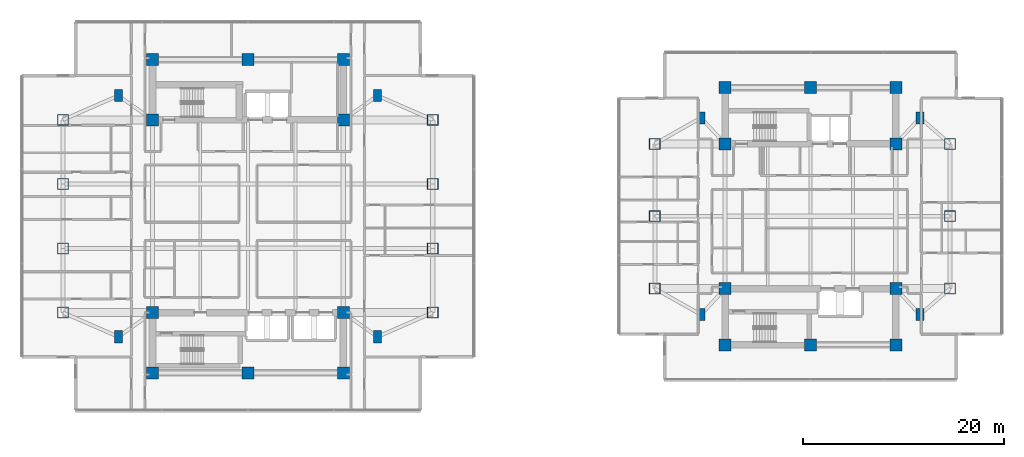
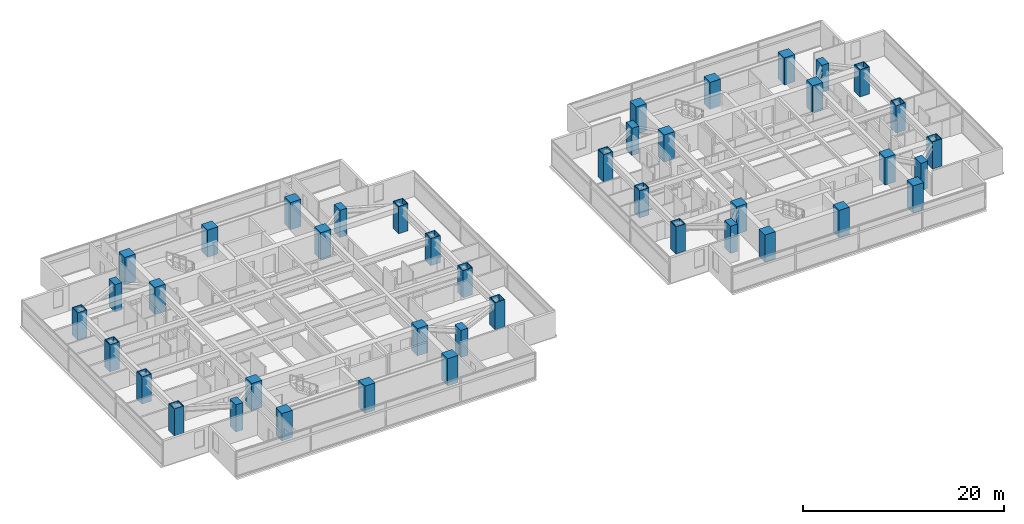
# One storey, part 1 of 26: 42 columns.
"""IFC4 building model written with IfcOpenShell, lengths in metres."""

from ifc_helpers import new_model, si_unit, direction, frame, origin, origin_2d, place, context, subcontext, project, spatial, rectangle, hollow_rectangle, extrude, material, material_profile, profile_set, type_object, element, save


model = new_model("IFC4")

# Units and contexts
model_context = context("Model", 3, precision=1e-05, world=origin(), true_north=direction((0.0, 1.0)))
body_context = subcontext(model_context, "Body", "Model", "MODEL_VIEW")
ifc_project = project(units=[si_unit("LENGTHUNIT", "METRE"), si_unit("AREAUNIT", "SQUARE_METRE"), si_unit("VOLUMEUNIT", "CUBIC_METRE"), si_unit("PLANEANGLEUNIT", "RADIAN"), si_unit("MASSUNIT", "GRAM", prefix="KILO")], contexts=[model_context])

# Site, building, storey
site_placement = place(None, origin())
site = spatial("IfcSite", under=ifc_project, at=site_placement, CompositionType="ELEMENT")
building_placement = place(site_placement, origin())
building = spatial("IfcBuilding", under=site, at=building_placement, Name="Mirazonda Arch Towers", CompositionType="ELEMENT")
storey_placement = place(building_placement, frame((0.0, 0.0, 114.800048828125)))
storey = spatial("IfcBuildingStorey", under=building, at=storey_placement, Name="L32", CompositionType="ELEMENT", Elevation=114.800048828125)

# Columns
ifc_material_1 = material(Name="Concrete C50/60", Category="concrete")
ifc_material_profile_1 = material_profile(ifc_material_1, rectangle(XDim=1.199951171875, YDim=1.199951171875, at=origin_2d()), Name="RC1200x1200")
ifc_profile_set_1 = profile_set([ifc_material_profile_1], Name="Concrete C50/60")
column_type_1 = type_object("IfcColumnType", Name="COL-INT-RC1200x1200", PredefinedType="COLUMN", material=ifc_profile_set_1)
for number, where, z_axis, x_axis, name in (
    (1, (11.0, 12.39990234375, 0.0), (0.0, 0.0, 1.0), (1.0, 0.0, 0.0), "L32 T1 Core Column 01"),
    (2, (20.5, 12.39990234375, 0.0), (0.0, 0.0, 1.0), (1.0, 0.0, 0.0), "L32 T1 Core Column 02"),
    (3, (30.0, 12.39990234375, 0.0), (0.0, 0.0, 1.0), (1.0, 0.0, 0.0), "L32 T1 Core Column 03"),
    (4, (11.0, 18.39990234375, 0.0), (0.0, 0.0, 1.0), (1.0, 0.0, 0.0), "L32 T1 Core Column 04"),
    (5, (30.0, 18.39990234375, 0.0), (0.0, 0.0, 1.0), (1.0, 0.0, 0.0), "L32 T1 Core Column 05"),
    (6, (11.0, 37.60009765625, 0.0), (0.0, 0.0, 1.0), (1.0, 0.0, 0.0), "L32 T1 Core Column 06"),
    (7, (30.0, 37.60009765625, 0.0), (0.0, 0.0, 1.0), (1.0, 0.0, 0.0), "L32 T1 Core Column 07"),
    (8, (11.0, 43.60009765625, 0.0), (0.0, 0.0, 1.0), (1.0, 0.0, 0.0), "L32 T1 Core Column 08"),
    (9, (20.5, 43.60009765625, 0.0), (0.0, 0.0, 1.0), (1.0, 0.0, 0.0), "L32 T1 Core Column 09"),
    (10, (30.0, 43.60009765625, 0.0), (0.0, 0.0, 1.0), (1.0, 0.0, 0.0), "L32 T1 Core Column 10"),
    (11, (68.0, 15.199951171875, 0.0), (0.0, 0.0, 1.0), (1.0, 0.0, 0.0), "L32 T2 Core Column 01"),
    (12, (76.5, 15.199951171875, 0.0), (0.0, 0.0, 1.0), (1.0, 0.0, 0.0), "L32 T2 Core Column 02"),
    (13, (85.0, 15.199951171875, 0.0), (0.0, 0.0, 1.0), (1.0, 0.0, 0.0), "L32 T2 Core Column 03"),
    (14, (68.0, 20.800048828125, 0.0), (0.0, 0.0, 1.0), (1.0, 0.0, 0.0), "L32 T2 Core Column 04"),
    (15, (85.0, 20.800048828125, 0.0), (0.0, 0.0, 1.0), (1.0, 0.0, 0.0), "L32 T2 Core Column 05"),
    (16, (68.0, 35.199951171875, 0.0), (0.0, 0.0, 1.0), (1.0, 0.0, 0.0), "L32 T2 Core Column 06"),
    (17, (85.0, 35.199951171875, 0.0), (0.0, 0.0, 1.0), (1.0, 0.0, 0.0), "L32 T2 Core Column 07"),
    (18, (68.0, 40.800048828125, 0.0), (0.0, 0.0, 1.0), (1.0, 0.0, 0.0), "L32 T2 Core Column 08"),
    (19, (76.5, 40.800048828125, 0.0), (0.0, 0.0, 1.0), (1.0, 0.0, 0.0), "L32 T2 Core Column 09"),
    (20, (85.0, 40.800048828125, 0.0), (0.0, 0.0, 1.0), (1.0, 0.0, 0.0), "L32 T2 Core Column 10"),
):
    element("IfcColumn", number, at=place(storey_placement, frame(where, z_axis=z_axis, x_axis=x_axis)), inside=storey, type_object=column_type_1, Name=name, PredefinedType="COLUMN", context=body_context, shape_type="SweptSolid", body=[
        extrude(rectangle(XDim=1.199951171875, YDim=1.199951171875, at=origin_2d()), origin(), (0.0, 0.0, 1.0), 3.300048828125),
    ])
ifc_material_2 = material(Name="Steel ASTM A572 Grade 50", Category="steel")
ifc_material_profile_2 = material_profile(ifc_material_2, hollow_rectangle(XDim=1.10009765625, YDim=1.10009765625, WallThickness=0.06005859375, at=origin_2d()), Name="BOX1100x1100x60")
ifc_profile_set_2 = profile_set([ifc_material_profile_2], Name="Steel ASTM A572 Grade 50")
column_type_2 = type_object("IfcColumnType", Name="MCOL-EXT-BOX1100x1100x60", PredefinedType="COLUMN", material=ifc_profile_set_2)
for number, where, z_axis, x_axis, name in (
    (21, (2.10009765625, 18.39990234375, 0.0), (0.0, 0.0, 1.0), (1.0, 0.0, 0.0), "L32 T1 Composite Mega-Column 01"),
    (22, (2.10009765625, 24.800048828125, 0.0), (0.0, 0.0, 1.0), (1.0, 0.0, 0.0), "L32 T1 Composite Mega-Column 02"),
    (23, (2.10009765625, 31.199951171875, 0.0), (0.0, 0.0, 1.0), (1.0, 0.0, 0.0), "L32 T1 Composite Mega-Column 03"),
    (24, (2.10009765625, 37.60009765625, 0.0), (0.0, 0.0, 1.0), (1.0, 0.0, 0.0), "L32 T1 Composite Mega-Column 04"),
    (25, (38.89990234375, 18.39990234375, 0.0), (0.0, 0.0, 1.0), (1.0, 0.0, 0.0), "L32 T1 Composite Mega-Column 05"),
    (26, (38.89990234375, 24.800048828125, 0.0), (0.0, 0.0, 1.0), (1.0, 0.0, 0.0), "L32 T1 Composite Mega-Column 06"),
    (27, (38.89990234375, 31.199951171875, 0.0), (0.0, 0.0, 1.0), (1.0, 0.0, 0.0), "L32 T1 Composite Mega-Column 07"),
    (28, (38.89990234375, 37.60009765625, 0.0), (0.0, 0.0, 1.0), (1.0, 0.0, 0.0), "L32 T1 Composite Mega-Column 08"),
    (29, (61.0, 20.800048828125, 0.0), (0.0, 0.0, 1.0), (1.0, 0.0, 0.0), "L32 T2 Composite Mega-Column 01"),
    (30, (61.0, 28.0, 0.0), (0.0, 0.0, 1.0), (1.0, 0.0, 0.0), "L32 T2 Composite Mega-Column 02"),
    (31, (61.0, 35.199951171875, 0.0), (0.0, 0.0, 1.0), (1.0, 0.0, 0.0), "L32 T2 Composite Mega-Column 03"),
    (32, (90.39990234375, 20.800048828125, 0.0), (0.0, 0.0, 1.0), (1.0, 0.0, 0.0), "L32 T2 Composite Mega-Column 04"),
    (33, (90.39990234375, 28.0, 0.0), (0.0, 0.0, 1.0), (1.0, 0.0, 0.0), "L32 T2 Composite Mega-Column 05"),
    (34, (90.39990234375, 35.199951171875, 0.0), (0.0, 0.0, 1.0), (1.0, 0.0, 0.0), "L32 T2 Composite Mega-Column 06"),
):
    element("IfcColumn", number, at=place(storey_placement, frame(where, z_axis=z_axis, x_axis=x_axis)), inside=storey, type_object=column_type_2, Name=name, PredefinedType="COLUMN", context=body_context, shape_type="SweptSolid", body=[
        extrude(hollow_rectangle(XDim=1.10009765625, YDim=1.10009765625, WallThickness=0.06005859375, at=origin_2d()), origin(), (0.0, 0.0, 1.0), 3.300048828125),
    ])
ifc_material_3 = material(Name="Concrete C60/75", Category="concrete")
ifc_material_profile_3 = material_profile(ifc_material_3, rectangle(XDim=0.800048828125, YDim=1.199951171875, at=origin_2d()), Name="RC1200x800")
ifc_profile_set_3 = profile_set([ifc_material_profile_3], Name="Concrete C60/75")
column_type_3 = type_object("IfcColumnType", Name="PIL-EXT-RC1200x800", PredefinedType="PILASTER", material=ifc_profile_set_3)
for number, where, z_axis, x_axis, name in (
    (35, (7.60009765625, 16.0, 0.0), (0.0, 0.0, 1.0), (1.0, 0.0, 0.0), "L32 T1 Corner Pilaster 01"),
    (36, (33.39990234375, 16.0, 0.0), (0.0, 0.0, 1.0), (1.0, 0.0, 0.0), "L32 T1 Corner Pilaster 02"),
    (37, (7.60009765625, 40.0, 0.0), (0.0, 0.0, 1.0), (1.0, 0.0, 0.0), "L32 T1 Corner Pilaster 03"),
    (38, (33.39990234375, 40.0, 0.0), (0.0, 0.0, 1.0), (1.0, 0.0, 0.0), "L32 T1 Corner Pilaster 04"),
    (39, (65.60009765625, 18.199951171875, 0.0), (0.0, 0.0, 1.0), (1.0, 0.0, 0.0), "L32 T2 Corner Pilaster 01"),
    (40, (87.39990234375, 18.199951171875, 0.0), (0.0, 0.0, 1.0), (1.0, 0.0, 0.0), "L32 T2 Corner Pilaster 02"),
    (41, (65.60009765625, 37.800048828125, 0.0), (0.0, 0.0, 1.0), (1.0, 0.0, 0.0), "L32 T2 Corner Pilaster 03"),
    (42, (87.39990234375, 37.800048828125, 0.0), (0.0, 0.0, 1.0), (1.0, 0.0, 0.0), "L32 T2 Corner Pilaster 04"),
):
    element("IfcColumn", number, at=place(storey_placement, frame(where, z_axis=z_axis, x_axis=x_axis)), inside=storey, type_object=column_type_3, Name=name, PredefinedType="PILASTER", context=body_context, shape_type="SweptSolid", body=[
        extrude(rectangle(XDim=0.800048828125, YDim=1.199951171875, at=origin_2d()), origin(), (0.0, 0.0, 1.0), 3.300048828125),
    ])

save(model, "model.ifc")
